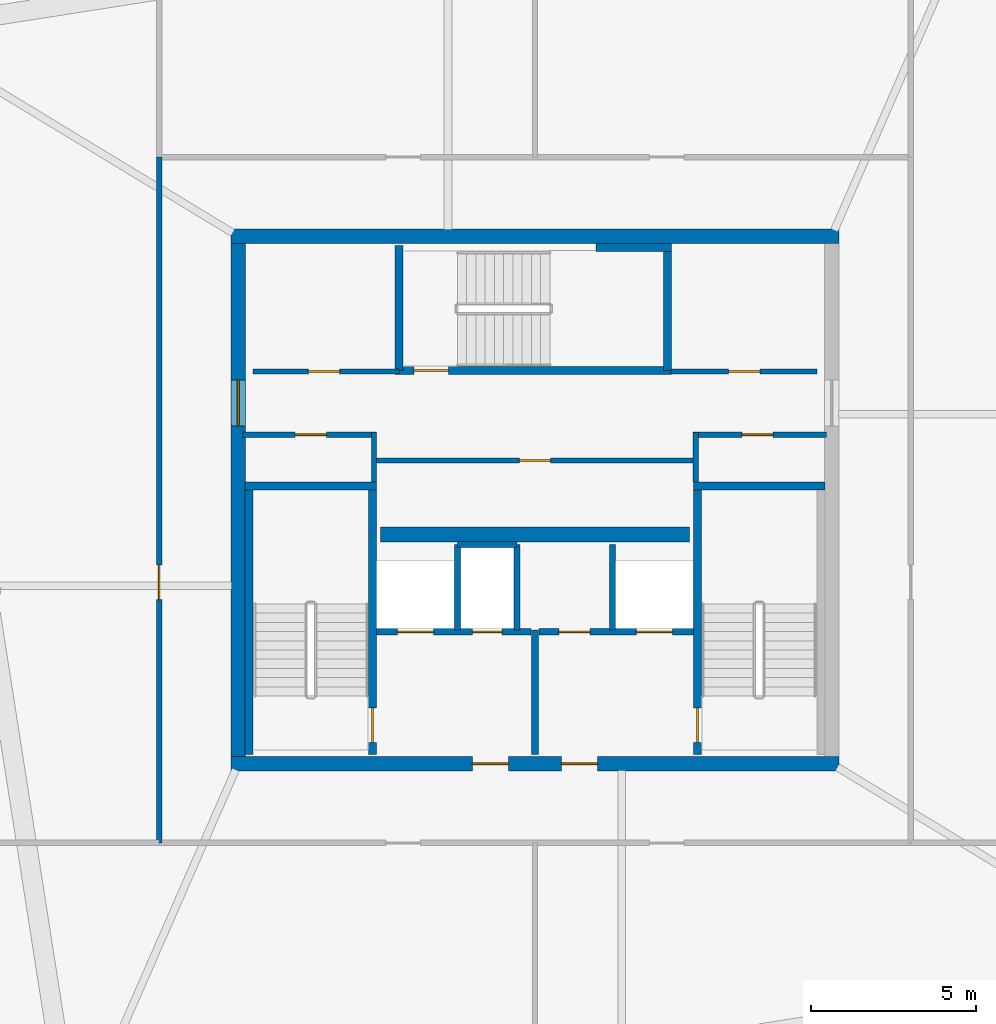
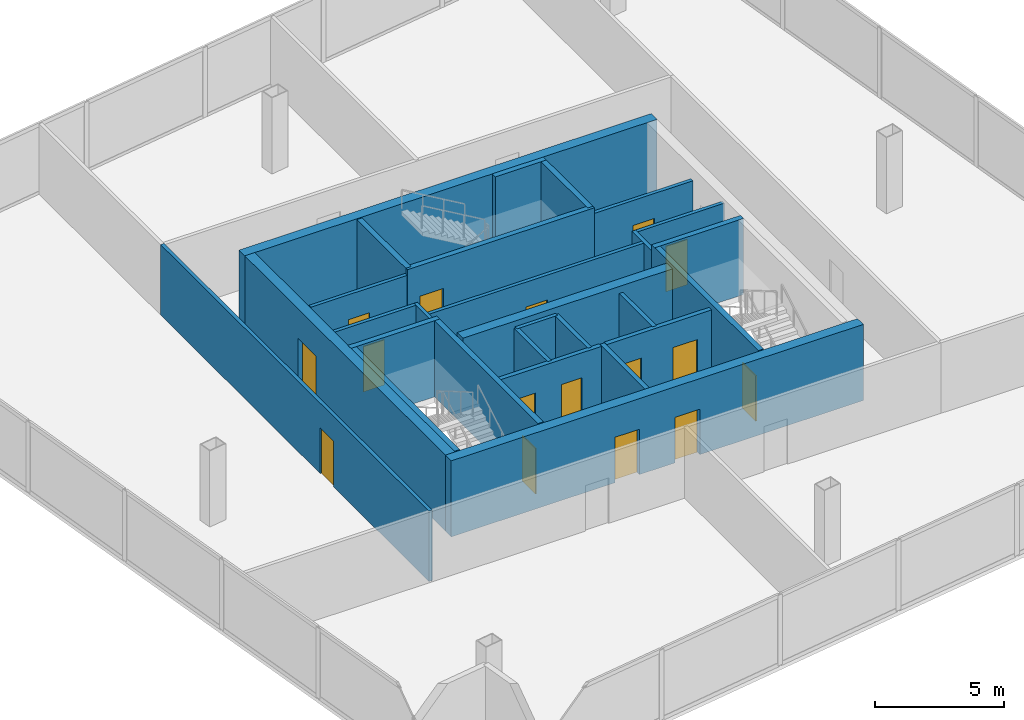
# One storey, part 15 of 17: 28 walls, 16 doors, 16 openings.
"""IFC4 building model written with IfcOpenShell, lengths in metres."""

import ifcopenshell
import ifcopenshell.guid

model = None  # the IFC model being written
_history = None  # IfcOwnerHistory: only IFC2X3 demands one
_inside = {}  # id of a spatial element -> (the spatial element, [elements in it])
_under = {}  # id of a project, library or spatial element -> (it, [spatial elements below it])
_declared = {}  # id of a project -> (the project, [libraries it declares])
_typed = {}  # id of a type object -> (the type object, [elements of that type])
_made_of = {}  # id of a material, layer set ... -> (it, [elements and type objects made of it])


def new_model(schema):
    """Start an empty IFC model of exactly this schema.

    Asked for "IFC4X3", IfcOpenShell would pick the latest addendum, in which some entities
    have other attributes; the version numbers below select the first issue.
    IFC2X3 requires an IfcOwnerHistory on every rooted entity: one is made here for all.
    """
    global model, _history
    if schema == "IFC4X3":
        model = ifcopenshell.file(schema_version=(4, 3, 0, 0))
    else:
        model = ifcopenshell.file(schema=schema)
    _inside.clear()
    _under.clear()
    _declared.clear()
    _typed.clear()
    _made_of.clear()
    _history = None
    if model.schema == "IFC2X3":
        org = make("IfcOrganization", Name="unknown")
        user = make(
            "IfcPersonAndOrganization",
            ThePerson=make("IfcPerson", FamilyName="unknown"),
            TheOrganization=org,
        )
        app = make(
            "IfcApplication",
            ApplicationDeveloper=org,
            Version="unknown",
            ApplicationFullName="unknown",
            ApplicationIdentifier="unknown",
        )
        _history = make(
            "IfcOwnerHistory",
            OwningUser=user,
            OwningApplication=app,
            ChangeAction="ADDED",
            CreationDate=0,
        )
    return model


def make(cls, **values):
    """One entity of the class cls with the attributes given. An attribute that is None is left unset."""
    return model.create_entity(
        cls, **{name: value for name, value in values.items() if value is not None}
    )


def rooted(cls, **values):
    """An entity with a GlobalId (a new one), such as an element, a storey or a relation."""
    return make(cls, GlobalId=ifcopenshell.guid.new(), OwnerHistory=_history, **values)


def si_unit(unit_type, name, prefix=None):
    """IfcSIUnit, for example si_unit("LENGTHUNIT", "METRE", prefix="MILLI")."""
    return make("IfcSIUnit", UnitType=unit_type, Prefix=prefix, Name=name)


def assignment(units):
    """IfcUnitAssignment: the units of a project."""
    return None if units is None else make("IfcUnitAssignment", Units=units)


def point(xyz):
    """IfcCartesianPoint."""
    return None if xyz is None else make("IfcCartesianPoint", Coordinates=xyz)


def direction(xyz):
    """IfcDirection."""
    return None if xyz is None else make("IfcDirection", DirectionRatios=xyz)


def frame(location, z_axis=None, x_axis=None):
    """IfcAxis2Placement3D, a coordinate frame: its origin and axes. An axis left out is left unset."""
    return make(
        "IfcAxis2Placement3D",
        Location=point(location),
        Axis=direction(z_axis),
        RefDirection=direction(x_axis),
    )


def frame_2d(location, x_axis=None):
    """IfcAxis2Placement2D, a coordinate frame in the plane: its origin and x axis."""
    return make(
        "IfcAxis2Placement2D", Location=point(location), RefDirection=direction(x_axis)
    )


def origin():
    """The frame at (0, 0, 0) with its axes left unset."""
    return frame((0.0, 0.0, 0.0))


def place(relative_to, where):
    """IfcLocalPlacement: puts the frame where relative to a parent placement (None: the world)."""
    return make(
        "IfcLocalPlacement", PlacementRelTo=relative_to, RelativePlacement=where
    )


def context(
    kind, dimensions, precision=None, world=None, true_north=None, identifier=None
):
    """IfcGeometricRepresentationContext, for example the 3D "Model" context."""
    return make(
        "IfcGeometricRepresentationContext",
        ContextIdentifier=identifier,
        ContextType=kind,
        CoordinateSpaceDimension=dimensions,
        Precision=precision,
        WorldCoordinateSystem=world,
        TrueNorth=true_north,
    )


def subcontext(parent, identifier, kind, view, scale=None):
    """IfcGeometricRepresentationSubContext, for example "Body" below "Model"."""
    return make(
        "IfcGeometricRepresentationSubContext",
        ContextIdentifier=identifier,
        ContextType=kind,
        ParentContext=parent,
        TargetScale=scale,
        TargetView=view,
    )


def project(units=None, contexts=None):
    """IfcProject with its units and contexts."""
    return rooted(
        "IfcProject",
        Name="project",
        RepresentationContexts=contexts,
        UnitsInContext=assignment(units),
    )


def spatial(cls, under=None, at=None, **own):
    """A site, building, storey or space (cls), placed at a placement, below another one or the project."""
    s = rooted(cls, ObjectPlacement=at, **own)
    if under is not None:
        _under.setdefault(under.id(), (under, []))[1].append(s)
    return s


def profile(cls, at=None, kind="AREA", **sizes):
    """A parametric profile (cls). Its sizes go by their IFC names, for example OverallWidth=200.0."""
    return make(cls, ProfileType=kind, Position=at, **sizes)


def rectangle(**sizes):
    """IfcRectangleProfileDef."""
    return profile("IfcRectangleProfileDef", **sizes)


def extrude(swept, where, along, depth):
    """IfcExtrudedAreaSolid: the profile swept, set in the frame where, extruded along a direction by depth."""
    return make(
        "IfcExtrudedAreaSolid",
        SweptArea=swept,
        Position=where,
        ExtrudedDirection=direction(along),
        Depth=depth,
    )


def shape(context_of_items, identifier, shape_type, items):
    """IfcShapeRepresentation: the items that make up one representation, for example the "Body"."""
    return make(
        "IfcShapeRepresentation",
        ContextOfItems=context_of_items,
        RepresentationIdentifier=identifier,
        RepresentationType=shape_type,
        Items=items,
    )


def material(Name=None, Category=None):
    """IfcMaterial."""
    return make("IfcMaterial", Name=Name, Category=Category)


def layer(
    of_material, thickness, ventilated=None, Name=None, Category=None, Priority=None
):
    """IfcMaterialLayer: one layer of a wall or slab, of a material (None: an air gap)."""
    return make(
        "IfcMaterialLayer",
        Material=of_material,
        LayerThickness=thickness,
        IsVentilated=ventilated,
        Name=Name,
        Category=Category,
        Priority=Priority,
    )


def layer_set(layers, Name=None):
    """IfcMaterialLayerSet."""
    return make("IfcMaterialLayerSet", MaterialLayers=layers, LayerSetName=Name)


def made_of(thing, what):
    """Note that an element or type object is made of a material, layer set ...; save() writes the relation."""
    if what is not None:
        _made_of.setdefault(what.id(), (what, []))[1].append(thing)
    return thing


def type_object(cls, material=None, **own):
    """A type object (cls), such as IfcWallType, which elements share."""
    return made_of(rooted(cls, **own), material)


def element(
    cls,
    number,
    at=None,
    inside=None,
    cuts=None,
    type_object=None,
    material=None,
    context=None,
    identifier="Body",
    shape_type=None,
    held_by="IfcProductDefinitionShape",
    body=None,
    shapes=None,
    **own,
):
    """One element of the class cls, such as IfcWall. Its Tag is "e" and its number.

    at: its placement. inside: the storey or other place that contains it. cuts: it is an
    opening in that element (IfcRelVoidsElement). A single representation is given by context,
    identifier, shape_type and body (its items); several are given by shapes. held_by: the class
    of the entity that holds the representations. save() writes the other relations.
    """
    e = rooted(cls, Tag="e%d" % number, ObjectPlacement=at, **own)
    if body is not None:
        shapes = [shape(context, identifier, shape_type, body)]
    if shapes is not None:
        e.Representation = make(held_by, Representations=shapes)
    if inside is not None:
        _inside.setdefault(inside.id(), (inside, []))[1].append(e)
    if cuts is not None:
        rooted(
            "IfcRelVoidsElement", RelatingBuildingElement=cuts, RelatedOpeningElement=e
        )
    if type_object is not None:
        _typed.setdefault(type_object.id(), (type_object, []))[1].append(e)
    return made_of(e, material)


def fill(opening, filler):
    """IfcRelFillsElement: the door or window that sits in an opening."""
    return rooted(
        "IfcRelFillsElement",
        RelatingOpeningElement=opening,
        RelatedBuildingElement=filler,
    )


def aggregate(whole, parts):
    """IfcRelAggregates: a whole, such as a stair, and the parts it consists of."""
    return rooted("IfcRelAggregates", RelatingObject=whole, RelatedObjects=parts)


def save(model, path):
    """Write the relations noted so far, then the file.

    IfcRelAggregates (storeys below a building ...), IfcRelContainedInSpatialStructure (elements
    in a storey), IfcRelDefinesByType, IfcRelAssociatesMaterial and IfcRelDeclares: one each for
    every whole, place, type object, material and project.
    """
    for whole, parts in _under.values():
        aggregate(whole, parts)
    for where, things in _inside.values():
        rooted(
            "IfcRelContainedInSpatialStructure",
            RelatedElements=things,
            RelatingStructure=where,
        )
    for kind, things in _typed.values():
        rooted("IfcRelDefinesByType", RelatedObjects=things, RelatingType=kind)
    for what, things in _made_of.values():
        rooted("IfcRelAssociatesMaterial", RelatedObjects=things, RelatingMaterial=what)
    for by, libraries in _declared.values():
        rooted("IfcRelDeclares", RelatingContext=by, RelatedDefinitions=libraries)
    model.write(path)


model = new_model("IFC4")

# Units and contexts
model_context = context("Model", 3, precision=1e-05, world=origin(), true_north=direction((0.0, 1.0)))
body_context = subcontext(model_context, "Body", "Model", "MODEL_VIEW")
ifc_project = project(units=[si_unit("LENGTHUNIT", "METRE"), si_unit("AREAUNIT", "SQUARE_METRE"), si_unit("VOLUMEUNIT", "CUBIC_METRE"), si_unit("PLANEANGLEUNIT", "RADIAN"), si_unit("MASSUNIT", "GRAM", prefix="KILO")], contexts=[model_context])

# Site, building, storey
site_placement = place(None, origin())
site = spatial("IfcSite", under=ifc_project, at=site_placement, CompositionType="ELEMENT")
building_placement = place(site_placement, origin())
building = spatial("IfcBuilding", under=site, at=building_placement, Name="Haldenkirk Collegiate Tower", CompositionType="ELEMENT")
storey_placement = place(building_placement, frame((0.0, 0.0, 364.199951171875)))
storey = spatial("IfcBuildingStorey", under=building, at=storey_placement, Name="L92", CompositionType="ELEMENT", Elevation=364.199951171875)

# Wall, openings, doors
ifc_material_1 = material(Name="Concrete f'c 55 MPa", Category="concrete")
ifc_layer_1 = layer(ifc_material_1, 0.449951171875)
ifc_layer_set_1 = layer_set([ifc_layer_1], Name="Concrete f'c 55 MPa")
wall_type_1 = type_object("IfcWallType", Name="WL-CORE-450", PredefinedType="SHEAR", material=ifc_layer_set_1)
wall_1_placement = place(storey_placement, frame((26.77490234375, 18.0, 0.0), z_axis=(0.0, 0.0, 1.0), x_axis=(1.0, 0.0, 0.0)))
wall_1 = element("IfcWall", 1, at=wall_1_placement, inside=storey, type_object=wall_type_1, Name="L92 central core shear wall S", PredefinedType="SHEAR", context=body_context, shape_type="SweptSolid", body=[
    extrude(rectangle(XDim=18.4501953125, YDim=0.449951171875, at=frame_2d((9.22509765625, 0.0))), origin(), (0.0, 0.0, 1.0), 3.60009765625),
])
opening_1_placement = place(wall_1_placement, frame((7.324951171875, 0.0, 0.0)))
opening_1 = element("IfcOpeningElement", 2, at=opening_1_placement, cuts=wall_1, Name="Opening D-02", PredefinedType="OPENING", context=body_context, shape_type="SweptSolid", body=[
    extrude(rectangle(XDim=1.10009765625, YDim=2.14990234375, at=frame_2d((0.550048828125, 1.074951171875))), frame((0.0, 0.23486328125, 0.0), z_axis=(0.0, -1.0, 0.0), x_axis=(1.0, 0.0, 0.0)), (0.0, 0.0, 1.0), 0.469970703125),
])
opening_2_placement = place(wall_1_placement, frame((10.02490234375, 0.0, 0.0)))
opening_2 = element("IfcOpeningElement", 3, at=opening_2_placement, cuts=wall_1, Name="Opening D-02", PredefinedType="OPENING", context=body_context, shape_type="SweptSolid", body=[
    extrude(rectangle(XDim=1.10009765625, YDim=2.14990234375, at=frame_2d((0.550048828125, 1.074951171875))), frame((0.0, 0.23486328125, 0.0), z_axis=(0.0, -1.0, 0.0), x_axis=(1.0, 0.0, 0.0)), (0.0, 0.0, 1.0), 0.469970703125),
])
ifc_material_2 = material(Name="Galvanized fire-rated hollow steel door", Category="steel")
ifc_layer_2 = layer(ifc_material_2, 0.06005859375)
ifc_layer_set_2 = layer_set([ifc_layer_2], Name="Galvanized fire-rated hollow steel door")
door_type_1 = type_object("IfcDoorType", Name="DR-STAIR-FD90-1100", OperationType="NOTDEFINED", PredefinedType="DOOR", material=ifc_layer_set_2)
door_1_placement = place(opening_1_placement, origin())
door_1 = element("IfcDoor", 4, at=door_1_placement, inside=storey, type_object=door_type_1, Name="L92 Firefighting Lobby 1 door", OperationType="SINGLE_SWING_LEFT", OverallHeight=2.14990234375, OverallWidth=1.10009765625, PredefinedType="DOOR", context=body_context, shape_type="SweptSolid", body=[
    extrude(rectangle(XDim=1.10009765625, YDim=2.14990234375, at=frame_2d((0.550048828125, 1.074951171875))), frame((0.0, 0.02490234375, 0.0), z_axis=(0.0, -1.0, 0.0), x_axis=(1.0, 0.0, 0.0)), (0.0, 0.0, 1.0), 0.050048828125),
])
fill(opening_1, door_1)
door_2_placement = place(opening_2_placement, origin())
door_2 = element("IfcDoor", 5, at=door_2_placement, inside=storey, type_object=door_type_1, Name="L92 Firefighting Lobby 2 door", OperationType="SINGLE_SWING_RIGHT", OverallHeight=2.14990234375, OverallWidth=1.10009765625, PredefinedType="DOOR", context=body_context, shape_type="SweptSolid", body=[
    extrude(rectangle(XDim=1.10009765625, YDim=2.14990234375, at=frame_2d((0.550048828125, 1.074951171875))), frame((0.0, 0.02490234375, 0.0), z_axis=(0.0, -1.0, 0.0), x_axis=(1.0, 0.0, 0.0)), (0.0, 0.0, 1.0), 0.050048828125),
])
fill(opening_2, door_2)

# Wall
wall_2_placement = place(storey_placement, frame((26.77490234375, 34.0, 0.0), z_axis=(0.0, 0.0, 1.0), x_axis=(1.0, 0.0, 0.0)))
element("IfcWall", 6, at=wall_2_placement, inside=storey, type_object=wall_type_1, Name="L92 central core shear wall N", PredefinedType="SHEAR", context=body_context, shape_type="SweptSolid", body=[
    extrude(rectangle(XDim=18.4501953125, YDim=0.449951171875, at=frame_2d((9.22509765625, 0.0))), origin(), (0.0, 0.0, 1.0), 3.60009765625),
])

# Wall, opening, door
wall_3_placement = place(storey_placement, frame((27.0, 18.22509765625, 0.0), z_axis=(0.0, 0.0, 1.0), x_axis=(0.0, 1.0, 0.0)))
wall_3 = element("IfcWall", 7, at=wall_3_placement, inside=storey, type_object=wall_type_1, Name="L92 central core shear wall W", PredefinedType="SHEAR", context=body_context, shape_type="SweptSolid", body=[
    extrude(rectangle(XDim=15.5498046875, YDim=0.449951171875, at=frame_2d((7.77490234375, 0.0))), origin(), (0.0, 0.0, 1.0), 3.60009765625),
])
opening_3_placement = place(wall_3_placement, frame((10.014892578125, 0.0, 0.0)))
opening_3 = element("IfcOpeningElement", 8, at=opening_3_placement, cuts=wall_3, Name="Opening D-03", PredefinedType="OPENING", context=body_context, shape_type="SweptSolid", body=[
    extrude(rectangle(XDim=1.39990234375, YDim=2.199951171875, at=frame_2d((0.699951171875, 1.10009765625))), frame((0.0, 0.23486328125, 0.0), z_axis=(0.0, -1.0, 0.0), x_axis=(1.0, 0.0, 0.0)), (0.0, 0.0, 1.0), 0.469970703125),
])
ifc_layer_3 = layer(ifc_material_2, 0.06005859375)
ifc_layer_set_3 = layer_set([ifc_layer_3], Name="Galvanized fire-rated hollow steel door")
door_type_2 = type_object("IfcDoorType", Name="DR-LOBBY-FD90-1400", OperationType="NOTDEFINED", PredefinedType="DOOR", material=ifc_layer_set_3)
door_3_placement = place(opening_3_placement, origin())
door_3 = element("IfcDoor", 9, at=door_3_placement, inside=storey, type_object=door_type_2, Name="L92 west lift lobby portal", OperationType="DOUBLE_DOOR_SINGLE_SWING", OverallHeight=2.199951171875, OverallWidth=1.39990234375, PredefinedType="DOOR", context=body_context, shape_type="SweptSolid", body=[
    extrude(rectangle(XDim=1.39990234375, YDim=2.199951171875, at=frame_2d((0.699951171875, 1.10009765625))), frame((0.0, 0.02490234375, 0.0), z_axis=(0.0, -1.0, 0.0), x_axis=(1.0, 0.0, 0.0)), (0.0, 0.0, 1.0), 0.050048828125),
])
fill(opening_3, door_3)

# Wall
wall_4_placement = place(storey_placement, frame((31.31005859375, 24.949951171875, 0.0), z_axis=(0.0, 0.0, 1.0), x_axis=(1.0, 0.0, 0.0)))
element("IfcWall", 10, at=wall_4_placement, inside=storey, type_object=wall_type_1, Name="L92 central core spine shear wall", PredefinedType="SHEAR", context=body_context, shape_type="SweptSolid", body=[
    extrude(rectangle(XDim=9.3798828125, YDim=0.449951171875, at=frame_2d((4.68994140625, 0.0))), origin(), (0.0, 0.0, 1.0), 3.60009765625),
])

# Wall, opening, door
ifc_material_3 = material(Name="Acoustic fire-rated gypsum partition", Category="concrete")
ifc_layer_4 = layer(ifc_material_3, 0.159912109375)
ifc_layer_set_4 = layer_set([ifc_layer_4], Name="Acoustic fire-rated gypsum partition")
wall_type_2 = type_object("IfcWallType", Name="WL-INT-CORR-160", PredefinedType="PARTITIONING", material=ifc_layer_set_4)
wall_5_placement = place(storey_placement, frame((27.14990234375, 27.97998046875, 0.0), z_axis=(0.0, 0.0, 1.0), x_axis=(1.0, 0.0, 0.0)))
wall_5 = element("IfcWall", 11, at=wall_5_placement, inside=storey, type_object=wall_type_2, Name="L92 interior partition IW-L92-VCSW-N", PredefinedType="PARTITIONING", context=body_context, shape_type="SweptSolid", body=[
    extrude(rectangle(XDim=4.050048828125, YDim=0.159912109375, at=frame_2d((2.02490234375, 0.0))), origin(), (0.0, 0.0, 1.0), 3.330078125),
])
opening_4_placement = place(wall_5_placement, frame((1.574951171875, 0.0, 0.0)))
opening_4 = element("IfcOpeningElement", 12, at=opening_4_placement, cuts=wall_5, Name="Opening D-10", PredefinedType="OPENING", context=body_context, shape_type="SweptSolid", body=[
    extrude(rectangle(XDim=0.949951171875, YDim=2.14990234375, at=frame_2d((0.47509765625, 1.074951171875))), frame((0.0, 0.08984375, 0.0), z_axis=(0.0, -1.0, 0.0), x_axis=(1.0, 0.0, 0.0)), (0.0, 0.0, 1.0), 0.179931640625),
])
ifc_material_4 = material(Name="Solid-core architectural oak fire door", Category="wood")
ifc_layer_5 = layer(ifc_material_4, 0.06005859375)
ifc_layer_set_5 = layer_set([ifc_layer_5], Name="Solid-core architectural oak fire door")
door_type_3 = type_object("IfcDoorType", Name="DR-INT-FD60-950", OperationType="NOTDEFINED", PredefinedType="DOOR", material=ifc_layer_set_5)
door_4_placement = place(opening_4_placement, origin())
door_4 = element("IfcDoor", 13, at=door_4_placement, inside=storey, type_object=door_type_3, Name="L92 core electrical door", OperationType="SINGLE_SWING_LEFT", OverallHeight=2.14990234375, OverallWidth=0.949951171875, PredefinedType="DOOR", context=body_context, shape_type="SweptSolid", body=[
    extrude(rectangle(XDim=0.949951171875, YDim=2.14990234375, at=frame_2d((0.47509765625, 1.074951171875))), frame((0.0, 0.02490234375, 0.0), z_axis=(0.0, -1.0, 0.0), x_axis=(1.0, 0.0, 0.0)), (0.0, 0.0, 1.0), 0.050048828125),
])
fill(opening_4, door_4)

# Wall
wall_6_placement = place(storey_placement, frame((31.1201171875, 26.5400390625, 0.0), z_axis=(0.0, 0.0, 1.0), x_axis=(0.0, 1.0, 0.0)))
element("IfcWall", 14, at=wall_6_placement, inside=storey, type_object=wall_type_2, Name="L92 interior partition IW-L92-VCSW-E", PredefinedType="PARTITIONING", context=body_context, shape_type="SweptSolid", body=[
    extrude(rectangle(XDim=1.510009765625, YDim=0.159912109375, at=frame_2d((0.7548828125, 0.0))), origin(), (0.0, 0.0, 1.0), 3.330078125),
])

# Wall, opening, door
wall_7_placement = place(storey_placement, frame((40.800048828125, 27.97998046875, 0.0), z_axis=(0.0, 0.0, 1.0), x_axis=(1.0, 0.0, 0.0)))
wall_7 = element("IfcWall", 15, at=wall_7_placement, inside=storey, type_object=wall_type_2, Name="L92 interior partition IW-L92-VCSE-N", PredefinedType="PARTITIONING", context=body_context, shape_type="SweptSolid", body=[
    extrude(rectangle(XDim=4.050048828125, YDim=0.159912109375, at=frame_2d((2.02490234375, 0.0))), origin(), (0.0, 0.0, 1.0), 3.330078125),
])
opening_5_placement = place(wall_7_placement, frame((1.47509765625, 0.0, 0.0)))
opening_5 = element("IfcOpeningElement", 16, at=opening_5_placement, cuts=wall_7, Name="Opening D-10", PredefinedType="OPENING", context=body_context, shape_type="SweptSolid", body=[
    extrude(rectangle(XDim=0.949951171875, YDim=2.14990234375, at=frame_2d((0.47509765625, 1.074951171875))), frame((0.0, 0.08984375, 0.0), z_axis=(0.0, -1.0, 0.0), x_axis=(1.0, 0.0, 0.0)), (0.0, 0.0, 1.0), 0.179931640625),
])
door_5_placement = place(opening_5_placement, origin())
door_5 = element("IfcDoor", 17, at=door_5_placement, inside=storey, type_object=door_type_3, Name="L92 core mechanical store door", OperationType="SINGLE_SWING_RIGHT", OverallHeight=2.14990234375, OverallWidth=0.949951171875, PredefinedType="DOOR", context=body_context, shape_type="SweptSolid", body=[
    extrude(rectangle(XDim=0.949951171875, YDim=2.14990234375, at=frame_2d((0.47509765625, 1.074951171875))), frame((0.0, 0.02490234375, 0.0), z_axis=(0.0, -1.0, 0.0), x_axis=(1.0, 0.0, 0.0)), (0.0, 0.0, 1.0), 0.050048828125),
])
fill(opening_5, door_5)

# Wall
wall_8_placement = place(storey_placement, frame((40.8798828125, 26.5400390625, 0.0), z_axis=(0.0, 0.0, 1.0), x_axis=(0.0, 1.0, 0.0)))
element("IfcWall", 18, at=wall_8_placement, inside=storey, type_object=wall_type_2, Name="L92 interior partition IW-L92-VCSE-W", PredefinedType="PARTITIONING", context=body_context, shape_type="SweptSolid", body=[
    extrude(rectangle(XDim=1.510009765625, YDim=0.159912109375, at=frame_2d((0.7548828125, 0.0))), origin(), (0.0, 0.0, 1.0), 3.330078125),
])

# Wall, opening, door
wall_9_placement = place(storey_placement, frame((27.449951171875, 29.89990234375, 0.0), z_axis=(0.0, 0.0, 1.0), x_axis=(1.0, 0.0, 0.0)))
wall_9 = element("IfcWall", 19, at=wall_9_placement, inside=storey, type_object=wall_type_2, Name="L92 interior partition IW-L92-PLS", PredefinedType="PARTITIONING", context=body_context, shape_type="SweptSolid", body=[
    extrude(rectangle(XDim=4.429931640625, YDim=0.159912109375, at=frame_2d((2.21484375, 0.0))), origin(), (0.0, 0.0, 1.0), 3.330078125),
])
opening_6_placement = place(wall_9_placement, frame((1.675048828125, 0.0, 0.0)))
opening_6 = element("IfcOpeningElement", 20, at=opening_6_placement, cuts=wall_9, Name="Opening D-10", PredefinedType="OPENING", context=body_context, shape_type="SweptSolid", body=[
    extrude(rectangle(XDim=0.949951171875, YDim=2.14990234375, at=frame_2d((0.47509765625, 1.074951171875))), frame((0.0, 0.08984375, 0.0), z_axis=(0.0, -1.0, 0.0), x_axis=(1.0, 0.0, 0.0)), (0.0, 0.0, 1.0), 0.179931640625),
])
door_6_placement = place(opening_6_placement, origin())
door_6 = element("IfcDoor", 21, at=door_6_placement, inside=storey, type_object=door_type_3, Name="L92 reclaimed plant store door", OperationType="SINGLE_SWING_LEFT", OverallHeight=2.14990234375, OverallWidth=0.949951171875, PredefinedType="DOOR", context=body_context, shape_type="SweptSolid", body=[
    extrude(rectangle(XDim=0.949951171875, YDim=2.14990234375, at=frame_2d((0.47509765625, 1.074951171875))), frame((0.0, 0.02490234375, 0.0), z_axis=(0.0, -1.0, 0.0), x_axis=(1.0, 0.0, 0.0)), (0.0, 0.0, 1.0), 0.050048828125),
])
fill(opening_6, door_6)

wall_10_placement = place(storey_placement, frame((40.1201171875, 29.89990234375, 0.0), z_axis=(0.0, 0.0, 1.0), x_axis=(1.0, 0.0, 0.0)))
wall_10 = element("IfcWall", 22, at=wall_10_placement, inside=storey, type_object=wall_type_2, Name="L92 interior partition IW-L92-PMS", PredefinedType="PARTITIONING", context=body_context, shape_type="SweptSolid", body=[
    extrude(rectangle(XDim=4.429931640625, YDim=0.159912109375, at=frame_2d((2.21484375, 0.0))), origin(), (0.0, 0.0, 1.0), 3.330078125),
])
opening_7_placement = place(wall_10_placement, frame((1.7548828125, 0.0, 0.0)))
opening_7 = element("IfcOpeningElement", 23, at=opening_7_placement, cuts=wall_10, Name="Opening D-10", PredefinedType="OPENING", context=body_context, shape_type="SweptSolid", body=[
    extrude(rectangle(XDim=0.949951171875, YDim=2.14990234375, at=frame_2d((0.47509765625, 1.074951171875))), frame((0.0, 0.08984375, 0.0), z_axis=(0.0, -1.0, 0.0), x_axis=(1.0, 0.0, 0.0)), (0.0, 0.0, 1.0), 0.179931640625),
])
door_7_placement = place(opening_7_placement, origin())
door_7 = element("IfcDoor", 24, at=door_7_placement, inside=storey, type_object=door_type_3, Name="L92 east plant store door", OperationType="SINGLE_SWING_RIGHT", OverallHeight=2.14990234375, OverallWidth=0.949951171875, PredefinedType="DOOR", context=body_context, shape_type="SweptSolid", body=[
    extrude(rectangle(XDim=0.949951171875, YDim=2.14990234375, at=frame_2d((0.47509765625, 1.074951171875))), frame((0.0, 0.02490234375, 0.0), z_axis=(0.0, -1.0, 0.0), x_axis=(1.0, 0.0, 0.0)), (0.0, 0.0, 1.0), 0.050048828125),
])
fill(opening_7, door_7)

wall_11_placement = place(storey_placement, frame((31.199951171875, 27.199951171875, 0.0), z_axis=(0.0, 0.0, 1.0), x_axis=(1.0, 0.0, 0.0)))
wall_11 = element("IfcWall", 25, at=wall_11_placement, inside=storey, type_object=wall_type_2, Name="L92 interior partition IW-L92-PHN", PredefinedType="PARTITIONING", context=body_context, shape_type="SweptSolid", body=[
    extrude(rectangle(XDim=9.60009765625, YDim=0.159912109375, at=frame_2d((4.800048828125, 0.0))), origin(), (0.0, 0.0, 1.0), 3.330078125),
])
opening_8_placement = place(wall_11_placement, frame((4.324951171875, 0.0, 0.0)))
opening_8 = element("IfcOpeningElement", 26, at=opening_8_placement, cuts=wall_11, Name="Opening D-10", PredefinedType="OPENING", context=body_context, shape_type="SweptSolid", body=[
    extrude(rectangle(XDim=0.949951171875, YDim=2.14990234375, at=frame_2d((0.47509765625, 1.074951171875))), frame((0.0, 0.08984375, 0.0), z_axis=(0.0, -1.0, 0.0), x_axis=(1.0, 0.0, 0.0)), (0.0, 0.0, 1.0), 0.179931640625),
])
door_8_placement = place(opening_8_placement, origin())
door_8 = element("IfcDoor", 27, at=door_8_placement, inside=storey, type_object=door_type_3, Name="L92 crown telemetry door", OperationType="SINGLE_SWING_LEFT", OverallHeight=2.14990234375, OverallWidth=0.949951171875, PredefinedType="DOOR", context=body_context, shape_type="SweptSolid", body=[
    extrude(rectangle(XDim=0.949951171875, YDim=2.14990234375, at=frame_2d((0.47509765625, 1.074951171875))), frame((0.0, 0.02490234375, 0.0), z_axis=(0.0, -1.0, 0.0), x_axis=(1.0, 0.0, 0.0)), (0.0, 0.0, 1.0), 0.050048828125),
])
fill(opening_8, door_8)

wall_12_placement = place(storey_placement, frame((24.60009765625, 15.60009765625, 0.0), z_axis=(0.0, 0.0, 1.0), x_axis=(0.0, 1.0, 0.0)))
wall_12 = element("IfcWall", 28, at=wall_12_placement, inside=storey, type_object=wall_type_2, Name="L92 interior partition IW-L92-CW", PredefinedType="PARTITIONING", context=body_context, shape_type="SweptSolid", body=[
    extrude(rectangle(XDim=20.7998046875, YDim=0.159912109375, at=frame_2d((10.39990234375, 0.0))), origin(), (0.0, 0.0, 1.0), 3.330078125),
])
opening_9_placement = place(wall_12_placement, frame((7.375, 0.0, 0.0)))
opening_9 = element("IfcOpeningElement", 29, at=opening_9_placement, cuts=wall_12, Name="Opening D-09", PredefinedType="OPENING", context=body_context, shape_type="SweptSolid", body=[
    extrude(rectangle(XDim=1.050048828125, YDim=2.14990234375, at=frame_2d((0.52490234375, 1.074951171875))), frame((0.0, 0.08984375, 0.0), z_axis=(0.0, -1.0, 0.0), x_axis=(1.0, 0.0, 0.0)), (0.0, 0.0, 1.0), 0.179931640625),
])
ifc_layer_6 = layer(ifc_material_4, 0.06005859375)
ifc_layer_set_6 = layer_set([ifc_layer_6], Name="Solid-core architectural oak fire door")
door_type_4 = type_object("IfcDoorType", Name="DR-INT-FD60-1050", OperationType="NOTDEFINED", PredefinedType="DOOR", material=ifc_layer_set_6)
door_9_placement = place(opening_9_placement, origin())
door_9 = element("IfcDoor", 30, at=door_9_placement, inside=storey, type_object=door_type_4, Name="L92 crown W plant door", OperationType="SINGLE_SWING_RIGHT", OverallHeight=2.14990234375, OverallWidth=1.050048828125, PredefinedType="DOOR", context=body_context, shape_type="SweptSolid", body=[
    extrude(rectangle(XDim=1.050048828125, YDim=2.14990234375, at=frame_2d((0.52490234375, 1.074951171875))), frame((0.0, 0.02490234375, 0.0), z_axis=(0.0, -1.0, 0.0), x_axis=(1.0, 0.0, 0.0)), (0.0, 0.0, 1.0), 0.050048828125),
])
fill(opening_9, door_9)

# Walls
ifc_material_5 = material(Name="Fire-rated gypsum shaftboard assembly", Category="concrete")
ifc_layer_7 = layer(ifc_material_5, 0.179931640625)
ifc_layer_set_7 = layer_set([ifc_layer_7], Name="Fire-rated gypsum shaftboard assembly")
wall_type_3 = type_object("IfcWallType", Name="WL-INT-SHAFT-180", PredefinedType="PARTITIONING", material=ifc_layer_set_7)
for number, where, z_axis, x_axis, name in (
    (31, (33.64990234375, 22.050048828125, 0.0), (0.0, 0.0, 1.0), (0.0, 1.0, 0.0), "L92 interior partition IW-L92-FL1E"),
    (32, (35.449951171875, 22.050048828125, 0.0), (0.0, 0.0, 1.0), (0.0, 1.0, 0.0), "L92 interior partition IW-L92-GL1W"),
):
    element("IfcWall", number, at=place(storey_placement, frame(where, z_axis=z_axis, x_axis=x_axis)), inside=storey, type_object=wall_type_3, Name=name, PredefinedType="PARTITIONING", context=body_context, shape_type="SweptSolid", body=[
        extrude(rectangle(XDim=2.599853515625, YDim=0.179931640625, at=frame_2d((1.2998046875, 0.0))), origin(), (0.0, 0.0, 1.0), 3.330078125),
    ])
wall_13_placement = place(storey_placement, frame((33.64990234375, 24.64990234375, 0.0), z_axis=(0.0, 0.0, 1.0), x_axis=(1.0, 0.0, 0.0)))
element("IfcWall", 33, at=wall_13_placement, inside=storey, type_object=wall_type_3, Name="L92 interior partition IW-L92-RSRN", PredefinedType="PARTITIONING", context=body_context, shape_type="SweptSolid", body=[
    extrude(rectangle(XDim=1.800048828125, YDim=0.179931640625, at=frame_2d((0.89990234375, 0.0))), origin(), (0.0, 0.0, 1.0), 3.330078125),
])
wall_14_placement = place(storey_placement, frame((38.35009765625, 22.050048828125, 0.0), z_axis=(0.0, 0.0, 1.0), x_axis=(0.0, 1.0, 0.0)))
element("IfcWall", 34, at=wall_14_placement, inside=storey, type_object=wall_type_3, Name="L92 interior partition IW-L92-GL1E", PredefinedType="PARTITIONING", context=body_context, shape_type="SweptSolid", body=[
    extrude(rectangle(XDim=2.599853515625, YDim=0.179931640625, at=frame_2d((1.2998046875, 0.0))), origin(), (0.0, 0.0, 1.0), 3.330078125),
])
ifc_layer_8 = layer(ifc_material_5, 0.199951171875)
ifc_layer_set_8 = layer_set([ifc_layer_8], Name="Fire-rated gypsum shaftboard assembly")
wall_type_4 = type_object("IfcWallType", Name="WL-INT-SHAFT-200", PredefinedType="PARTITIONING", material=ifc_layer_set_8)
wall_15_placement = place(storey_placement, frame((36.0, 18.280029296875, 0.0), z_axis=(0.0, 0.0, 1.0), x_axis=(0.0, 1.0, 0.0)))
element("IfcWall", 35, at=wall_15_placement, inside=storey, type_object=wall_type_4, Name="L92 interior partition IW-L92-FFLM", PredefinedType="PARTITIONING", context=body_context, shape_type="SweptSolid", body=[
    extrude(rectangle(XDim=3.77001953125, YDim=0.199951171875, at=frame_2d((1.885009765625, 0.0))), origin(), (0.0, 0.0, 1.0), 3.330078125),
])

# Wall, openings, doors
wall_16_placement = place(storey_placement, frame((31.18994140625, 22.0, 0.0), z_axis=(0.0, 0.0, 1.0), x_axis=(1.0, 0.0, 0.0)))
wall_16 = element("IfcWall", 36, at=wall_16_placement, inside=storey, type_object=wall_type_4, Name="L92 interior partition IW-L92-FFL1N", PredefinedType="PARTITIONING", context=body_context, shape_type="SweptSolid", body=[
    extrude(rectangle(XDim=4.68994140625, YDim=0.199951171875, at=frame_2d((2.344970703125, 0.0))), origin(), (0.0, 0.0, 1.0), 3.330078125),
])
opening_10_placement = place(wall_16_placement, frame((2.909912109375, 0.0, 0.0)))
opening_10 = element("IfcOpeningElement", 37, at=opening_10_placement, cuts=wall_16, Name="Opening D-06", PredefinedType="OPENING", context=body_context, shape_type="SweptSolid", body=[
    extrude(rectangle(XDim=0.89990234375, YDim=2.14990234375, at=frame_2d((0.449951171875, 1.074951171875))), frame((0.0, 0.10986328125, 0.0), z_axis=(0.0, -1.0, 0.0), x_axis=(1.0, 0.0, 0.0)), (0.0, 0.0, 1.0), 0.219970703125),
])
opening_11_placement = place(wall_16_placement, frame((0.635009765625, 0.0, 0.0)))
opening_11 = element("IfcOpeningElement", 38, at=opening_11_placement, cuts=wall_16, Name="Opening LD-12", PredefinedType="OPENING", context=body_context, shape_type="SweptSolid", body=[
    extrude(rectangle(XDim=1.10009765625, YDim=2.14990234375, at=frame_2d((0.550048828125, 1.074951171875))), frame((0.0, 0.10986328125, 0.0), z_axis=(0.0, -1.0, 0.0), x_axis=(1.0, 0.0, 0.0)), (0.0, 0.0, 1.0), 0.219970703125),
])
ifc_layer_9 = layer(ifc_material_2, 0.06005859375)
ifc_layer_set_9 = layer_set([ifc_layer_9], Name="Galvanized fire-rated hollow steel door")
door_type_5 = type_object("IfcDoorType", Name="DR-INT-FD90-900", OperationType="NOTDEFINED", PredefinedType="DOOR", material=ifc_layer_set_9)
door_10_placement = place(opening_10_placement, origin())
door_10 = element("IfcDoor", 39, at=door_10_placement, inside=storey, type_object=door_type_5, Name="L92 electrical riser door", OperationType="SINGLE_SWING_LEFT", OverallHeight=2.14990234375, OverallWidth=0.89990234375, PredefinedType="DOOR", context=body_context, shape_type="SweptSolid", body=[
    extrude(rectangle(XDim=0.89990234375, YDim=2.14990234375, at=frame_2d((0.449951171875, 1.074951171875))), frame((0.0, 0.02490234375, 0.0), z_axis=(0.0, -1.0, 0.0), x_axis=(1.0, 0.0, 0.0)), (0.0, 0.0, 1.0), 0.050048828125),
])
fill(opening_10, door_10)
ifc_material_6 = material(Name="Brushed architectural stainless steel", Category="steel")
ifc_layer_10 = layer(ifc_material_6, 0.06005859375)
ifc_layer_set_10 = layer_set([ifc_layer_10], Name="Brushed architectural stainless steel")
door_type_6 = type_object("IfcDoorType", Name="LD-FIRE-1100", OperationType="NOTDEFINED", PredefinedType="DOOR", material=ifc_layer_set_10)
door_11_placement = place(opening_11_placement, origin())
door_11 = element("IfcDoor", 40, at=door_11_placement, inside=storey, type_object=door_type_6, Name="L92 Elevator FL1 sliding landing door", OperationType="SLIDING_TO_LEFT", OverallHeight=2.14990234375, OverallWidth=1.10009765625, PredefinedType="DOOR", context=body_context, shape_type="SweptSolid", body=[
    extrude(rectangle(XDim=1.10009765625, YDim=2.14990234375, at=frame_2d((0.550048828125, 1.074951171875))), frame((0.0, 0.02490234375, 0.0), z_axis=(0.0, -1.0, 0.0), x_axis=(1.0, 0.0, 0.0)), (0.0, 0.0, 1.0), 0.050048828125),
])
fill(opening_11, door_11)

wall_17_placement = place(storey_placement, frame((36.1201171875, 22.0, 0.0), z_axis=(0.0, 0.0, 1.0), x_axis=(1.0, 0.0, 0.0)))
wall_17 = element("IfcWall", 41, at=wall_17_placement, inside=storey, type_object=wall_type_4, Name="L92 interior partition IW-L92-FFL2N", PredefinedType="PARTITIONING", context=body_context, shape_type="SweptSolid", body=[
    extrude(rectangle(XDim=4.68994140625, YDim=0.199951171875, at=frame_2d((2.344970703125, 0.0))), origin(), (0.0, 0.0, 1.0), 3.330078125),
])
opening_12_placement = place(wall_17_placement, frame((0.60498046875, 0.0, 0.0)))
opening_12 = element("IfcOpeningElement", 42, at=opening_12_placement, cuts=wall_17, Name="Opening D-05", PredefinedType="OPENING", context=body_context, shape_type="SweptSolid", body=[
    extrude(rectangle(XDim=0.949951171875, YDim=2.14990234375, at=frame_2d((0.47509765625, 1.074951171875))), frame((0.0, 0.10986328125, 0.0), z_axis=(0.0, -1.0, 0.0), x_axis=(1.0, 0.0, 0.0)), (0.0, 0.0, 1.0), 0.219970703125),
])
opening_13_placement = place(wall_17_placement, frame((2.955078125, 0.0, 0.0)))
opening_13 = element("IfcOpeningElement", 43, at=opening_13_placement, cuts=wall_17, Name="Opening LD-12", PredefinedType="OPENING", context=body_context, shape_type="SweptSolid", body=[
    extrude(rectangle(XDim=1.10009765625, YDim=2.14990234375, at=frame_2d((0.550048828125, 1.074951171875))), frame((0.0, 0.10986328125, 0.0), z_axis=(0.0, -1.0, 0.0), x_axis=(1.0, 0.0, 0.0)), (0.0, 0.0, 1.0), 0.219970703125),
])
ifc_layer_11 = layer(ifc_material_2, 0.06005859375)
ifc_layer_set_11 = layer_set([ifc_layer_11], Name="Galvanized fire-rated hollow steel door")
door_type_7 = type_object("IfcDoorType", Name="DR-INT-FD90-950", OperationType="NOTDEFINED", PredefinedType="DOOR", material=ifc_layer_set_11)
door_12_placement = place(opening_12_placement, origin())
door_12 = element("IfcDoor", 44, at=door_12_placement, inside=storey, type_object=door_type_7, Name="L92 Crown Controls Plant Room door", OperationType="SINGLE_SWING_RIGHT", OverallHeight=2.14990234375, OverallWidth=0.949951171875, PredefinedType="DOOR", context=body_context, shape_type="SweptSolid", body=[
    extrude(rectangle(XDim=0.949951171875, YDim=2.14990234375, at=frame_2d((0.47509765625, 1.074951171875))), frame((0.0, 0.02490234375, 0.0), z_axis=(0.0, -1.0, 0.0), x_axis=(1.0, 0.0, 0.0)), (0.0, 0.0, 1.0), 0.050048828125),
])
fill(opening_12, door_12)
door_13_placement = place(opening_13_placement, origin())
door_13 = element("IfcDoor", 45, at=door_13_placement, inside=storey, type_object=door_type_6, Name="L92 Elevator FL2 sliding landing door", OperationType="SLIDING_TO_LEFT", OverallHeight=2.14990234375, OverallWidth=1.10009765625, PredefinedType="DOOR", context=body_context, shape_type="SweptSolid", body=[
    extrude(rectangle(XDim=1.10009765625, YDim=2.14990234375, at=frame_2d((0.550048828125, 1.074951171875))), frame((0.0, 0.02490234375, 0.0), z_axis=(0.0, -1.0, 0.0), x_axis=(1.0, 0.0, 0.0)), (0.0, 0.0, 1.0), 0.050048828125),
])
fill(opening_13, door_13)

# Wall, opening, door
ifc_layer_12 = layer(ifc_material_1, 0.239990234375)
ifc_layer_set_12 = layer_set([ifc_layer_12], Name="Concrete f'c 55 MPa")
wall_type_5 = type_object("IfcWallType", Name="WL-SHAFT-240", PredefinedType="SHEAR", material=ifc_layer_set_12)
wall_18_placement = place(storey_placement, frame((31.070068359375, 18.280029296875, 0.0), z_axis=(0.0, 0.0, 1.0), x_axis=(0.0, 1.0, 0.0)))
wall_18 = element("IfcWall", 46, at=wall_18_placement, inside=storey, type_object=wall_type_5, Name="L92 stair shaft shear wall SW-L92-ST1E", PredefinedType="SHEAR", context=body_context, shape_type="SweptSolid", body=[
    extrude(rectangle(XDim=8.260009765625, YDim=0.239990234375, at=frame_2d((4.1298828125, 0.0))), origin(), (0.0, 0.0, 1.0), 3.60009765625),
])
opening_14_placement = place(wall_18_placement, frame((0.364990234375, 0.0, 0.0)))
opening_14 = element("IfcOpeningElement", 47, at=opening_14_placement, cuts=wall_18, Name="Opening D-01", PredefinedType="OPENING", context=body_context, shape_type="SweptSolid", body=[
    extrude(rectangle(XDim=1.050048828125, YDim=2.14990234375, at=frame_2d((0.52490234375, 1.074951171875))), frame((0.0, 0.1298828125, 0.0), z_axis=(0.0, -1.0, 0.0), x_axis=(1.0, 0.0, 0.0)), (0.0, 0.0, 1.0), 0.260009765625),
])
ifc_layer_13 = layer(ifc_material_2, 0.06005859375)
ifc_layer_set_13 = layer_set([ifc_layer_13], Name="Galvanized fire-rated hollow steel door")
door_type_8 = type_object("IfcDoorType", Name="DR-STAIR-FD90-1050", OperationType="NOTDEFINED", PredefinedType="DOOR", material=ifc_layer_set_13)
door_14_placement = place(opening_14_placement, origin())
door_14 = element("IfcDoor", 48, at=door_14_placement, inside=storey, type_object=door_type_8, Name="L92 Stair 1 door", OperationType="SINGLE_SWING_LEFT", OverallHeight=2.14990234375, OverallWidth=1.050048828125, PredefinedType="DOOR", context=body_context, shape_type="SweptSolid", body=[
    extrude(rectangle(XDim=1.050048828125, YDim=2.14990234375, at=frame_2d((0.52490234375, 1.074951171875))), frame((0.0, 0.02490234375, 0.0), z_axis=(0.0, -1.0, 0.0), x_axis=(1.0, 0.0, 0.0)), (0.0, 0.0, 1.0), 0.050048828125),
])
fill(opening_14, door_14)

# Walls
wall_19_placement = place(storey_placement, frame((27.2099609375, 26.419921875, 0.0), z_axis=(0.0, 0.0, 1.0), x_axis=(1.0, 0.0, 0.0)))
element("IfcWall", 49, at=wall_19_placement, inside=storey, type_object=wall_type_5, Name="L92 stair shaft shear wall SW-L92-ST1N", PredefinedType="SHEAR", context=body_context, shape_type="SweptSolid", body=[
    extrude(rectangle(XDim=3.97998046875, YDim=0.239990234375, at=frame_2d((1.989990234375, 0.0))), origin(), (0.0, 0.0, 1.0), 3.60009765625),
])
wall_20_placement = place(storey_placement, frame((27.330078125, 18.280029296875, 0.0), z_axis=(0.0, 0.0, 1.0), x_axis=(0.0, 1.0, 0.0)))
element("IfcWall", 50, at=wall_20_placement, inside=storey, type_object=wall_type_5, Name="L92 stair shaft shear wall SW-L92-ST1W", PredefinedType="SHEAR", context=body_context, shape_type="SweptSolid", body=[
    extrude(rectangle(XDim=8.260009765625, YDim=0.239990234375, at=frame_2d((4.1298828125, 0.0))), origin(), (0.0, 0.0, 1.0), 3.60009765625),
])

# Wall, opening, door
wall_21_placement = place(storey_placement, frame((40.929931640625, 18.280029296875, 0.0), z_axis=(0.0, 0.0, 1.0), x_axis=(0.0, 1.0, 0.0)))
wall_21 = element("IfcWall", 51, at=wall_21_placement, inside=storey, type_object=wall_type_5, Name="L92 stair shaft shear wall SW-L92-ST2W", PredefinedType="SHEAR", context=body_context, shape_type="SweptSolid", body=[
    extrude(rectangle(XDim=8.260009765625, YDim=0.239990234375, at=frame_2d((4.1298828125, 0.0))), origin(), (0.0, 0.0, 1.0), 3.60009765625),
])
opening_15_placement = place(wall_21_placement, frame((0.364990234375, 0.0, 0.0)))
opening_15 = element("IfcOpeningElement", 52, at=opening_15_placement, cuts=wall_21, Name="Opening D-01", PredefinedType="OPENING", context=body_context, shape_type="SweptSolid", body=[
    extrude(rectangle(XDim=1.050048828125, YDim=2.14990234375, at=frame_2d((0.52490234375, 1.074951171875))), frame((0.0, 0.1298828125, 0.0), z_axis=(0.0, -1.0, 0.0), x_axis=(1.0, 0.0, 0.0)), (0.0, 0.0, 1.0), 0.260009765625),
])
door_15_placement = place(opening_15_placement, origin())
door_15 = element("IfcDoor", 53, at=door_15_placement, inside=storey, type_object=door_type_8, Name="L92 Stair 2 door", OperationType="SINGLE_SWING_RIGHT", OverallHeight=2.14990234375, OverallWidth=1.050048828125, PredefinedType="DOOR", context=body_context, shape_type="SweptSolid", body=[
    extrude(rectangle(XDim=1.050048828125, YDim=2.14990234375, at=frame_2d((0.52490234375, 1.074951171875))), frame((0.0, 0.02490234375, 0.0), z_axis=(0.0, -1.0, 0.0), x_axis=(1.0, 0.0, 0.0)), (0.0, 0.0, 1.0), 0.050048828125),
])
fill(opening_15, door_15)

# Wall
wall_22_placement = place(storey_placement, frame((40.81005859375, 26.419921875, 0.0), z_axis=(0.0, 0.0, 1.0), x_axis=(1.0, 0.0, 0.0)))
element("IfcWall", 54, at=wall_22_placement, inside=storey, type_object=wall_type_5, Name="L92 stair shaft shear wall SW-L92-ST2N", PredefinedType="SHEAR", context=body_context, shape_type="SweptSolid", body=[
    extrude(rectangle(XDim=3.97998046875, YDim=0.239990234375, at=frame_2d((1.989990234375, 0.0))), origin(), (0.0, 0.0, 1.0), 3.60009765625),
])

# Wall, opening, door
wall_23_placement = place(storey_placement, frame((31.760009765625, 29.929931640625, 0.0), z_axis=(0.0, 0.0, 1.0), x_axis=(1.0, 0.0, 0.0)))
wall_23 = element("IfcWall", 55, at=wall_23_placement, inside=storey, type_object=wall_type_5, Name="L92 stair shaft shear wall SW-L92-ST3S", PredefinedType="SHEAR", context=body_context, shape_type="SweptSolid", body=[
    extrude(rectangle(XDim=8.3798828125, YDim=0.239990234375, at=frame_2d((4.18994140625, 0.0))), origin(), (0.0, 0.0, 1.0), 3.60009765625),
])
opening_16_placement = place(wall_23_placement, frame((0.56494140625, 0.0, 0.0)))
opening_16 = element("IfcOpeningElement", 56, at=opening_16_placement, cuts=wall_23, Name="Opening D-01", PredefinedType="OPENING", context=body_context, shape_type="SweptSolid", body=[
    extrude(rectangle(XDim=1.050048828125, YDim=2.14990234375, at=frame_2d((0.52490234375, 1.074951171875))), frame((0.0, 0.1298828125, 0.0), z_axis=(0.0, -1.0, 0.0), x_axis=(1.0, 0.0, 0.0)), (0.0, 0.0, 1.0), 0.260009765625),
])
door_16_placement = place(opening_16_placement, origin())
door_16 = element("IfcDoor", 57, at=door_16_placement, inside=storey, type_object=door_type_8, Name="L92 lift lobby Stair 3 door", OperationType="SINGLE_SWING_RIGHT", OverallHeight=2.14990234375, OverallWidth=1.050048828125, PredefinedType="DOOR", context=body_context, shape_type="SweptSolid", body=[
    extrude(rectangle(XDim=1.050048828125, YDim=2.14990234375, at=frame_2d((0.52490234375, 1.074951171875))), frame((0.0, 0.02490234375, 0.0), z_axis=(0.0, -1.0, 0.0), x_axis=(1.0, 0.0, 0.0)), (0.0, 0.0, 1.0), 0.050048828125),
])
fill(opening_16, door_16)

# Walls
wall_24_placement = place(storey_placement, frame((31.8798828125, 29.929931640625, 0.0), z_axis=(0.0, 0.0, 1.0), x_axis=(0.0, 1.0, 0.0)))
element("IfcWall", 58, at=wall_24_placement, inside=storey, type_object=wall_type_5, Name="L92 stair shaft shear wall SW-L92-ST3W", PredefinedType="SHEAR", context=body_context, shape_type="SweptSolid", body=[
    extrude(rectangle(XDim=3.7900390625, YDim=0.239990234375, at=frame_2d((1.89501953125, 0.0))), origin(), (0.0, 0.0, 1.0), 3.60009765625),
])
wall_25_placement = place(storey_placement, frame((40.02001953125, 29.929931640625, 0.0), z_axis=(0.0, 0.0, 1.0), x_axis=(0.0, 1.0, 0.0)))
element("IfcWall", 59, at=wall_25_placement, inside=storey, type_object=wall_type_5, Name="L92 stair shaft shear wall SW-L92-ST3E", PredefinedType="SHEAR", context=body_context, shape_type="SweptSolid", body=[
    extrude(rectangle(XDim=3.85009765625, YDim=0.239990234375, at=frame_2d((1.925048828125, 0.0))), origin(), (0.0, 0.0, 1.0), 3.60009765625),
])
wall_26_placement = place(storey_placement, frame((37.85009765625, 33.659912109375, 0.0), z_axis=(0.0, 0.0, 1.0), x_axis=(1.0, 0.0, 0.0)))
element("IfcWall", 60, at=wall_26_placement, inside=storey, type_object=wall_type_5, Name="L92 stair shaft shear wall SW-L92-ST3N", PredefinedType="SHEAR", context=body_context, shape_type="SweptSolid", body=[
    extrude(rectangle(XDim=2.289794921875, YDim=0.239990234375, at=frame_2d((1.14501953125, 0.0))), origin(), (0.0, 0.0, 1.0), 3.60009765625),
])

save(model, "model.ifc")
